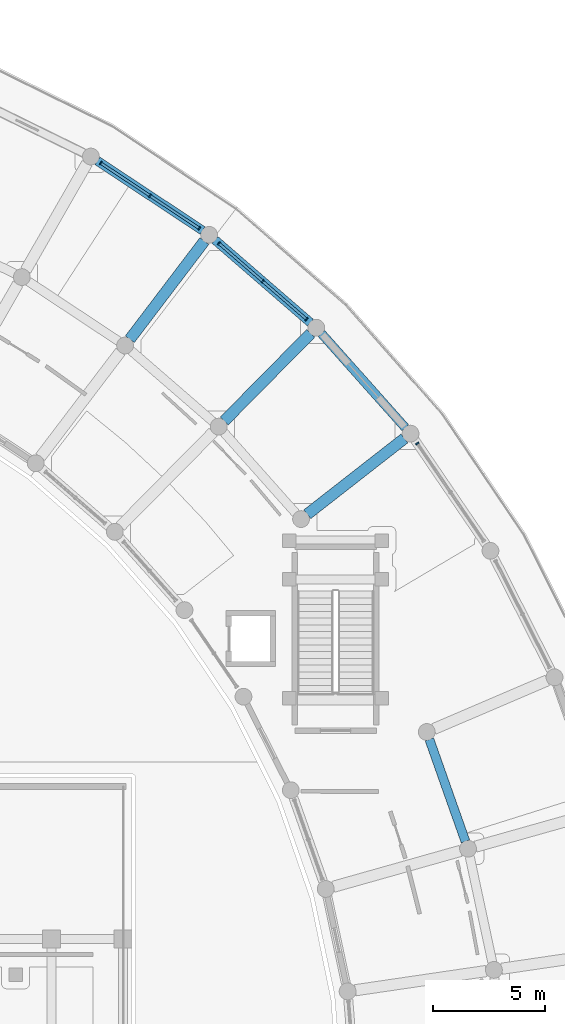
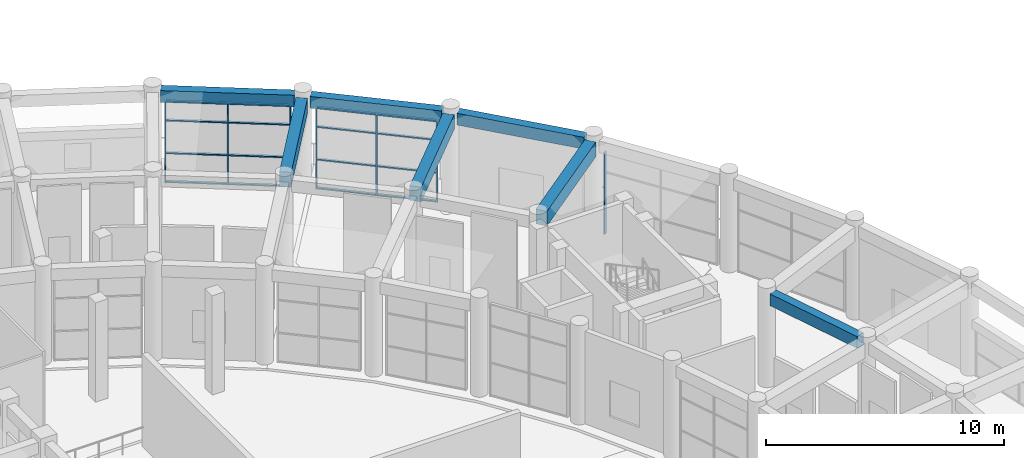
# One storey, part 48 of 99: 23 members, 7 beams, 3 elements without a shape of their own.
"""IFC4 building model written with IfcOpenShell, lengths in metres."""

from ifc_helpers import new_model, si_unit, direction, frame, origin, origin_2d, place, context, subcontext, project, spatial, rectangle, extrude, material, material_profile, profile_set, type_object, element, aggregate, save


model = new_model("IFC4")

# Units and contexts
model_context = context("Model", 3, precision=1e-05, world=origin(), true_north=direction((0.0, 1.0)))
body_context = subcontext(model_context, "Body", "Model", "MODEL_VIEW")
ifc_project = project(units=[si_unit("LENGTHUNIT", "METRE"), si_unit("AREAUNIT", "SQUARE_METRE"), si_unit("VOLUMEUNIT", "CUBIC_METRE"), si_unit("PLANEANGLEUNIT", "RADIAN"), si_unit("MASSUNIT", "GRAM", prefix="KILO")], contexts=[model_context])

# Site, building, storey
site_placement = place(None, origin())
site = spatial("IfcSite", under=ifc_project, at=site_placement, CompositionType="ELEMENT")
building_placement = place(site_placement, origin())
building = spatial("IfcBuilding", under=site, at=building_placement, Name="Saryqyr Civic Hall", CompositionType="ELEMENT")
storey_placement = place(building_placement, origin())
storey = spatial("IfcBuildingStorey", under=building, at=storey_placement, Name="L00", CompositionType="ELEMENT", Elevation=0.0)

# Curtain wall, member
ifc_material_1 = material(Name="Anodised aluminium and triple low-E glass", Category="aluminium")
curtain_wall_type_1 = type_object("IfcCurtainWallType", Name="ENV-CW-STD-42", PredefinedType="NOTDEFINED", material=ifc_material_1)
curtain_wall_1_placement = place(storey_placement, origin())
curtain_wall_1 = element("IfcCurtainWall", 1, at=curtain_wall_1_placement, inside=storey, type_object=curtain_wall_type_1, Name="Curtain wall V6-CWO-L00-04", PredefinedType="NOTDEFINED")
ifc_material_2 = material(Name="Anodised aluminium", Category="aluminium")
ifc_material_profile_1 = material_profile(ifc_material_2, rectangle(XDim=0.06005859375, YDim=0.159912109375, at=origin_2d()), Name="ALU MULLION 60x160")
ifc_profile_set_1 = profile_set([ifc_material_profile_1], Name="Anodised aluminium")
member_type_1 = type_object("IfcMemberType", Name="ENV-CW-MUL-180", PredefinedType="MULLION", material=ifc_profile_set_1)
member_1_placement = place(storey_placement, frame((95.92529296875, 113.710693359375, 0.0), z_axis=(0.0, 0.0, 1.0), x_axis=(0.563119415089, -0.826375534699, 0.0)))
member_1 = element("IfcMember", 2, at=member_1_placement, type_object=member_type_1, Name="CW-42 mullion 1", PredefinedType="MULLION", context=body_context, shape_type="SweptSolid", body=[
    extrude(rectangle(XDim=0.06005859375, YDim=0.159912109375, at=origin_2d()), origin(), (0.0, 0.0, 1.0), 4.195068359375),
])
aggregate(curtain_wall_1, [member_1])

# Curtain wall, members
curtain_wall_type_2 = type_object("IfcCurtainWallType", Name="ENV-CW-STD-34", PredefinedType="NOTDEFINED", material=ifc_material_1)
curtain_wall_2_placement = place(storey_placement, origin())
curtain_wall_2 = element("IfcCurtainWall", 3, at=curtain_wall_2_placement, inside=storey, type_object=curtain_wall_type_2, Name="Curtain wall V6-CWO-L00-06", PredefinedType="NOTDEFINED")
member_2_placement = place(storey_placement, frame((87.0732421875, 122.642822265625, 0.0), z_axis=(0.0, 0.0, 1.0), x_axis=(0.755656276333, -0.654968390107, 0.0)))
member_2 = element("IfcMember", 4, at=member_2_placement, type_object=member_type_1, Name="CW-34 mullion 1", PredefinedType="MULLION", context=body_context, shape_type="SweptSolid", body=[
    extrude(rectangle(XDim=0.06005859375, YDim=0.159912109375, at=origin_2d()), origin(), (0.0, 0.0, 1.0), 4.195068359375),
])
member_3_placement = place(storey_placement, frame((89.026611328125, 120.94970703125, 0.0), z_axis=(0.0, 0.0, 1.0), x_axis=(0.755656276333, -0.654968390107, 0.0)))
member_3 = element("IfcMember", 5, at=member_3_placement, type_object=member_type_1, Name="CW-34 mullion 2", PredefinedType="MULLION", context=body_context, shape_type="SweptSolid", body=[
    extrude(rectangle(XDim=0.06005859375, YDim=0.159912109375, at=origin_2d()), origin(), (0.0, 0.0, 1.0), 4.195068359375),
])
member_4_placement = place(storey_placement, frame((90.97998046875, 119.256591796875, 0.0), z_axis=(0.0, 0.0, 1.0), x_axis=(0.755656276333, -0.654968390107, 0.0)))
member_4 = element("IfcMember", 6, at=member_4_placement, type_object=member_type_1, Name="CW-34 mullion 3", PredefinedType="MULLION", context=body_context, shape_type="SweptSolid", body=[
    extrude(rectangle(XDim=0.06005859375, YDim=0.159912109375, at=origin_2d()), origin(), (0.0, 0.0, 1.0), 4.195068359375),
])

curtain_wall_3_placement = place(storey_placement, origin())
curtain_wall_3 = element("IfcCurtainWall", 7, at=curtain_wall_3_placement, inside=storey, type_object=curtain_wall_type_1, Name="Curtain wall V6-CWO-L00-07", PredefinedType="NOTDEFINED")
member_5_placement = place(storey_placement, frame((81.799072265625, 126.224853515625, 0.0), z_axis=(0.0, 0.0, 1.0), x_axis=(0.833762747619, -0.552122885491, 0.0)))
member_5 = element("IfcMember", 8, at=member_5_placement, type_object=member_type_1, Name="CW-42 mullion 1", PredefinedType="MULLION", context=body_context, shape_type="SweptSolid", body=[
    extrude(rectangle(XDim=0.06005859375, YDim=0.159912109375, at=origin_2d()), origin(), (0.0, 0.0, 1.0), 4.195068359375),
])
member_6_placement = place(storey_placement, frame((83.997314453125, 124.769287109375, 0.0), z_axis=(0.0, 0.0, 1.0), x_axis=(0.833762747619, -0.552122885491, 0.0)))
member_6 = element("IfcMember", 9, at=member_6_placement, type_object=member_type_1, Name="CW-42 mullion 2", PredefinedType="MULLION", context=body_context, shape_type="SweptSolid", body=[
    extrude(rectangle(XDim=0.06005859375, YDim=0.159912109375, at=origin_2d()), origin(), (0.0, 0.0, 1.0), 4.195068359375),
])
member_7_placement = place(storey_placement, frame((86.195556640625, 123.3134765625, 0.0), z_axis=(0.0, 0.0, 1.0), x_axis=(0.833762747619, -0.552122885491, 0.0)))
member_7 = element("IfcMember", 10, at=member_7_placement, type_object=member_type_1, Name="CW-42 mullion 3", PredefinedType="MULLION", context=body_context, shape_type="SweptSolid", body=[
    extrude(rectangle(XDim=0.06005859375, YDim=0.159912109375, at=origin_2d()), origin(), (0.0, 0.0, 1.0), 4.195068359375),
])

# Member
ifc_material_profile_2 = material_profile(ifc_material_2, rectangle(XDim=0.1201171875, YDim=0.06005859375, at=origin_2d()), Name="ALU TRANSOM 120x60")
ifc_profile_set_2 = profile_set([ifc_material_profile_2], Name="Anodised aluminium")
member_type_2 = type_object("IfcMemberType", Name="ENV-CW-TRN-150", PredefinedType="USERDEFINED", material=ifc_profile_set_2)
member_8_placement = place(storey_placement, frame((87.095947265625, 122.623291015625, 0.030029296875), z_axis=(0.755641226023, -0.654985753689, 0.0), x_axis=(0.654985753689, 0.755641226023, 0.0)))
member_8 = element("IfcMember", 11, at=member_8_placement, type_object=member_type_2, Name="CW-34 transom 1.1", ObjectType="TRANSOM", PredefinedType="USERDEFINED", context=body_context, shape_type="SweptSolid", body=[
    extrude(rectangle(XDim=0.1201171875, YDim=0.06005859375, at=origin_2d()), origin(), (0.0, 0.0, 1.0), 2.52490234375),
])

member_9_placement = place(storey_placement, frame((87.095947265625, 122.623291015625, 1.510009765625), z_axis=(0.755641226023, -0.654985753689, 0.0), x_axis=(0.654985753689, 0.755641226023, 0.0)))
member_9 = element("IfcMember", 12, at=member_9_placement, type_object=member_type_2, Name="CW-34 transom 1.2", ObjectType="TRANSOM", PredefinedType="USERDEFINED", context=body_context, shape_type="SweptSolid", body=[
    extrude(rectangle(XDim=0.1201171875, YDim=0.06005859375, at=origin_2d()), origin(), (0.0, 0.0, 1.0), 2.52490234375),
])

member_10_placement = place(storey_placement, frame((87.095947265625, 122.623291015625, 3.18798828125), z_axis=(0.755641226023, -0.654985753689, 0.0), x_axis=(0.654985753689, 0.755641226023, 0.0)))
member_10 = element("IfcMember", 13, at=member_10_placement, type_object=member_type_2, Name="CW-34 transom 1.3", ObjectType="TRANSOM", PredefinedType="USERDEFINED", context=body_context, shape_type="SweptSolid", body=[
    extrude(rectangle(XDim=0.1201171875, YDim=0.06005859375, at=origin_2d()), origin(), (0.0, 0.0, 1.0), 2.52490234375),
])

member_11_placement = place(storey_placement, frame((87.095947265625, 122.623291015625, 4.1650390625), z_axis=(0.755641226023, -0.654985753689, 0.0), x_axis=(0.654985753689, 0.755641226023, 0.0)))
member_11 = element("IfcMember", 14, at=member_11_placement, type_object=member_type_2, Name="CW-34 transom 1.4", ObjectType="TRANSOM", PredefinedType="USERDEFINED", context=body_context, shape_type="SweptSolid", body=[
    extrude(rectangle(XDim=0.1201171875, YDim=0.06005859375, at=origin_2d()), origin(), (0.0, 0.0, 1.0), 2.52490234375),
])

member_12_placement = place(storey_placement, frame((89.04931640625, 120.93017578125, 0.030029296875), z_axis=(0.755641226023, -0.654985753689, 0.0), x_axis=(0.654985753689, 0.755641226023, 0.0)))
member_12 = element("IfcMember", 15, at=member_12_placement, type_object=member_type_2, Name="CW-34 transom 2.1", ObjectType="TRANSOM", PredefinedType="USERDEFINED", context=body_context, shape_type="SweptSolid", body=[
    extrude(rectangle(XDim=0.1201171875, YDim=0.06005859375, at=origin_2d()), origin(), (0.0, 0.0, 1.0), 2.52490234375),
])

member_13_placement = place(storey_placement, frame((89.04931640625, 120.93017578125, 1.510009765625), z_axis=(0.755641226023, -0.654985753689, 0.0), x_axis=(0.654985753689, 0.755641226023, 0.0)))
member_13 = element("IfcMember", 16, at=member_13_placement, type_object=member_type_2, Name="CW-34 transom 2.2", ObjectType="TRANSOM", PredefinedType="USERDEFINED", context=body_context, shape_type="SweptSolid", body=[
    extrude(rectangle(XDim=0.1201171875, YDim=0.06005859375, at=origin_2d()), origin(), (0.0, 0.0, 1.0), 2.52490234375),
])

member_14_placement = place(storey_placement, frame((89.04931640625, 120.93017578125, 3.18798828125), z_axis=(0.755641226023, -0.654985753689, 0.0), x_axis=(0.654985753689, 0.755641226023, 0.0)))
member_14 = element("IfcMember", 17, at=member_14_placement, type_object=member_type_2, Name="CW-34 transom 2.3", ObjectType="TRANSOM", PredefinedType="USERDEFINED", context=body_context, shape_type="SweptSolid", body=[
    extrude(rectangle(XDim=0.1201171875, YDim=0.06005859375, at=origin_2d()), origin(), (0.0, 0.0, 1.0), 2.52490234375),
])

member_15_placement = place(storey_placement, frame((89.04931640625, 120.93017578125, 4.1650390625), z_axis=(0.755641226023, -0.654985753689, 0.0), x_axis=(0.654985753689, 0.755641226023, 0.0)))
member_15 = element("IfcMember", 18, at=member_15_placement, type_object=member_type_2, Name="CW-34 transom 2.4", ObjectType="TRANSOM", PredefinedType="USERDEFINED", context=body_context, shape_type="SweptSolid", body=[
    extrude(rectangle(XDim=0.1201171875, YDim=0.06005859375, at=origin_2d()), origin(), (0.0, 0.0, 1.0), 2.52490234375),
])

aggregate(curtain_wall_2, [member_2, member_3, member_4, member_8, member_9, member_10, member_11, member_12, member_13, member_14, member_15])

member_16_placement = place(storey_placement, frame((81.82421875, 126.208251953125, 0.030029296875), z_axis=(0.833795576607, -0.552073307116, 0.0), x_axis=(0.552073307116, 0.833795576607, 0.0)))
member_16 = element("IfcMember", 19, at=member_16_placement, type_object=member_type_2, Name="CW-42 transom 1.1", ObjectType="TRANSOM", PredefinedType="USERDEFINED", context=body_context, shape_type="SweptSolid", body=[
    extrude(rectangle(XDim=0.1201171875, YDim=0.06005859375, at=origin_2d()), origin(), (0.0, 0.0, 1.0), 2.576416015625),
])

member_17_placement = place(storey_placement, frame((81.82421875, 126.208251953125, 1.510009765625), z_axis=(0.833795576607, -0.552073307116, 0.0), x_axis=(0.552073307116, 0.833795576607, 0.0)))
member_17 = element("IfcMember", 20, at=member_17_placement, type_object=member_type_2, Name="CW-42 transom 1.2", ObjectType="TRANSOM", PredefinedType="USERDEFINED", context=body_context, shape_type="SweptSolid", body=[
    extrude(rectangle(XDim=0.1201171875, YDim=0.06005859375, at=origin_2d()), origin(), (0.0, 0.0, 1.0), 2.576416015625),
])

member_18_placement = place(storey_placement, frame((81.82421875, 126.208251953125, 3.18798828125), z_axis=(0.833795576607, -0.552073307116, 0.0), x_axis=(0.552073307116, 0.833795576607, 0.0)))
member_18 = element("IfcMember", 21, at=member_18_placement, type_object=member_type_2, Name="CW-42 transom 1.3", ObjectType="TRANSOM", PredefinedType="USERDEFINED", context=body_context, shape_type="SweptSolid", body=[
    extrude(rectangle(XDim=0.1201171875, YDim=0.06005859375, at=origin_2d()), origin(), (0.0, 0.0, 1.0), 2.576416015625),
])

member_19_placement = place(storey_placement, frame((81.82421875, 126.208251953125, 4.1650390625), z_axis=(0.833795576607, -0.552073307116, 0.0), x_axis=(0.552073307116, 0.833795576607, 0.0)))
member_19 = element("IfcMember", 22, at=member_19_placement, type_object=member_type_2, Name="CW-42 transom 1.4", ObjectType="TRANSOM", PredefinedType="USERDEFINED", context=body_context, shape_type="SweptSolid", body=[
    extrude(rectangle(XDim=0.1201171875, YDim=0.06005859375, at=origin_2d()), origin(), (0.0, 0.0, 1.0), 2.576416015625),
])

member_20_placement = place(storey_placement, frame((84.0224609375, 124.752685546875, 0.030029296875), z_axis=(0.833751956594, -0.552139180711, 0.0), x_axis=(0.552139180711, 0.833751956594, 0.0)))
member_20 = element("IfcMember", 23, at=member_20_placement, type_object=member_type_2, Name="CW-42 transom 2.1", ObjectType="TRANSOM", PredefinedType="USERDEFINED", context=body_context, shape_type="SweptSolid", body=[
    extrude(rectangle(XDim=0.1201171875, YDim=0.06005859375, at=origin_2d()), origin(), (0.0, 0.0, 1.0), 2.576416015625),
])

member_21_placement = place(storey_placement, frame((84.0224609375, 124.752685546875, 1.510009765625), z_axis=(0.833751956594, -0.552139180711, 0.0), x_axis=(0.552139180711, 0.833751956594, 0.0)))
member_21 = element("IfcMember", 24, at=member_21_placement, type_object=member_type_2, Name="CW-42 transom 2.2", ObjectType="TRANSOM", PredefinedType="USERDEFINED", context=body_context, shape_type="SweptSolid", body=[
    extrude(rectangle(XDim=0.1201171875, YDim=0.06005859375, at=origin_2d()), origin(), (0.0, 0.0, 1.0), 2.576416015625),
])

member_22_placement = place(storey_placement, frame((84.0224609375, 124.752685546875, 3.18798828125), z_axis=(0.833751956594, -0.552139180711, 0.0), x_axis=(0.552139180711, 0.833751956594, 0.0)))
member_22 = element("IfcMember", 25, at=member_22_placement, type_object=member_type_2, Name="CW-42 transom 2.3", ObjectType="TRANSOM", PredefinedType="USERDEFINED", context=body_context, shape_type="SweptSolid", body=[
    extrude(rectangle(XDim=0.1201171875, YDim=0.06005859375, at=origin_2d()), origin(), (0.0, 0.0, 1.0), 2.576416015625),
])

member_23_placement = place(storey_placement, frame((84.0224609375, 124.752685546875, 4.1650390625), z_axis=(0.833751956594, -0.552139180711, 0.0), x_axis=(0.552139180711, 0.833751956594, 0.0)))
member_23 = element("IfcMember", 26, at=member_23_placement, type_object=member_type_2, Name="CW-42 transom 2.4", ObjectType="TRANSOM", PredefinedType="USERDEFINED", context=body_context, shape_type="SweptSolid", body=[
    extrude(rectangle(XDim=0.1201171875, YDim=0.06005859375, at=origin_2d()), origin(), (0.0, 0.0, 1.0), 2.576416015625),
])

aggregate(curtain_wall_3, [member_5, member_6, member_7, member_16, member_17, member_18, member_19, member_20, member_21, member_22, member_23])

# Beams
ifc_material_3 = material(Name="Concrete C35/45", Category="concrete")
ifc_material_profile_3 = material_profile(ifc_material_3, rectangle(XDim=0.39990234375, YDim=0.60009765625, at=origin_2d()), Name="RC 400x600")
ifc_profile_set_3 = profile_set([ifc_material_profile_3], Name="Concrete C35/45")
beam_type_1 = type_object("IfcBeamType", Name="STR-BM-RC400x600", PredefinedType="BEAM", material=ifc_profile_set_3)
beam_1_placement = place(storey_placement, frame((98.074462890625, 95.954833984375, 4.52001953125), z_axis=(-0.333214233521, 0.942851141262, 0.0), x_axis=(-0.942851141262, -0.333214233521, 0.0)))
element("IfcBeam", 27, at=beam_1_placement, inside=storey, type_object=beam_type_1, Name="Beam V6-CBM-MID02-L00", PredefinedType="BEAM", context=body_context, shape_type="SweptSolid", body=[
    extrude(rectangle(XDim=0.39990234375, YDim=0.60009765625, at=origin_2d()), origin(), (0.0, 0.0, 1.0), 4.82763671875),
])
ifc_material_profile_4 = material_profile(ifc_material_3, rectangle(XDim=0.39990234375, YDim=0.60009765625, at=origin_2d()), Name="RC 400x600")
ifc_profile_set_4 = profile_set([ifc_material_profile_4], Name="Concrete C35/45")
beam_type_2 = type_object("IfcBeamType", Name="STR-BM-RC400x600-EXT", PredefinedType="BEAM", material=ifc_profile_set_4)
for number, where, z_axis, x_axis, name in (
    (28, (95.39306640625, 114.412109375, 4.52001953125), (-0.664950553028, 0.746887382426, 0.0), (-0.746887382426, -0.664950553028, 0.0), "Beam V6-CBM-OUT05-L00"),
    (29, (91.1533203125, 119.1064453125, 4.52001953125), (-0.755650439549, 0.654975124114, 0.0), (-0.654975124114, -0.755650439549, 0.0), "Beam V6-CBM-OUT06-L00"),
):
    element("IfcBeam", number, at=place(storey_placement, frame(where, z_axis=z_axis, x_axis=x_axis)), inside=storey, type_object=beam_type_2, Name=name, PredefinedType="BEAM", context=body_context, shape_type="SweptSolid", body=[
        extrude(rectangle(XDim=0.39990234375, YDim=0.60009765625, at=origin_2d()), origin(), (0.0, 0.0, 1.0), 5.62841796875),
    ])
beam_2_placement = place(storey_placement, frame((86.34375, 123.21533203125, 4.52001953125), z_axis=(-0.833761312871, 0.552125052103, 0.0), x_axis=(-0.552125052103, -0.833761312871, 0.0)))
element("IfcBeam", 30, at=beam_2_placement, inside=storey, type_object=beam_type_2, Name="Beam V6-CBM-OUT07-L00", PredefinedType="BEAM", context=body_context, shape_type="SweptSolid", body=[
    extrude(rectangle(XDim=0.39990234375, YDim=0.60009765625, at=origin_2d()), origin(), (0.0, 0.0, 1.0), 5.628662109375),
])
ifc_material_4 = material(Name="Concrete C40/50", Category="concrete")
ifc_material_profile_5 = material_profile(ifc_material_4, rectangle(XDim=0.5, YDim=0.75, at=origin_2d()), Name="RC 500x750")
ifc_profile_set_5 = profile_set([ifc_material_profile_5], Name="Concrete C40/50")
beam_type_3 = type_object("IfcBeamType", Name="STR-BM-RC500x750", PredefinedType="BEAM", material=ifc_profile_set_5)
for number, where, z_axis, x_axis, name in (
    (31, (91.014404296875, 110.551025390625, 4.445068359375), (0.788270620476, 0.61532871613, 0.0), (-0.61532871613, 0.788270620476, 0.0), "Beam V6-RBM-B05-L00"),
    (32, (87.30859375, 114.71337890625, 4.445068359375), (0.70240825607, 0.711774291335, 0.0), (-0.711774291335, 0.70240825607, 0.0), "Beam V6-RBM-B06-L00"),
    (33, (83.097412109375, 118.36328125, 4.445068359375), (0.604797357473, 0.796379404802, 0.0), (-0.796379404802, 0.604797357473, 0.0), "Beam V6-RBM-B07-L00"),
):
    element("IfcBeam", number, at=place(storey_placement, frame(where, z_axis=z_axis, x_axis=x_axis)), inside=storey, type_object=beam_type_3, Name=name, PredefinedType="BEAM", context=body_context, shape_type="SweptSolid", body=[
        extrude(rectangle(XDim=0.5, YDim=0.75, at=origin_2d()), origin(), (0.0, 0.0, 1.0), 5.5),
    ])

save(model, "model.ifc")
